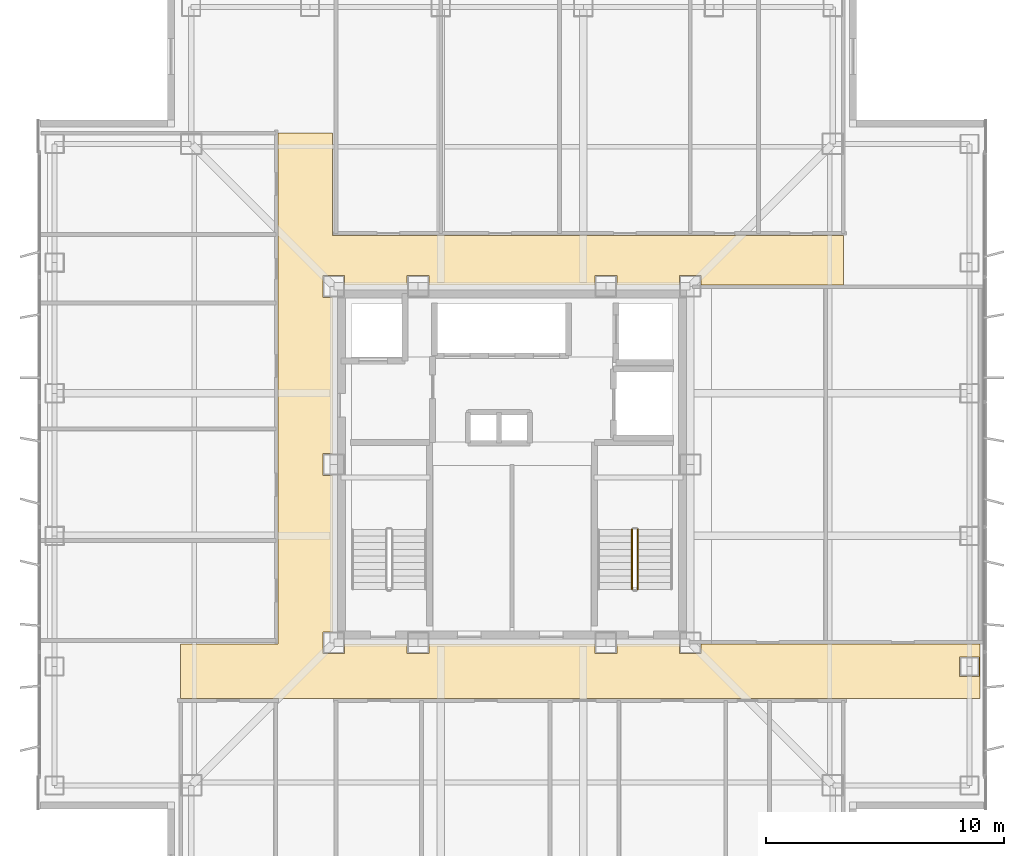
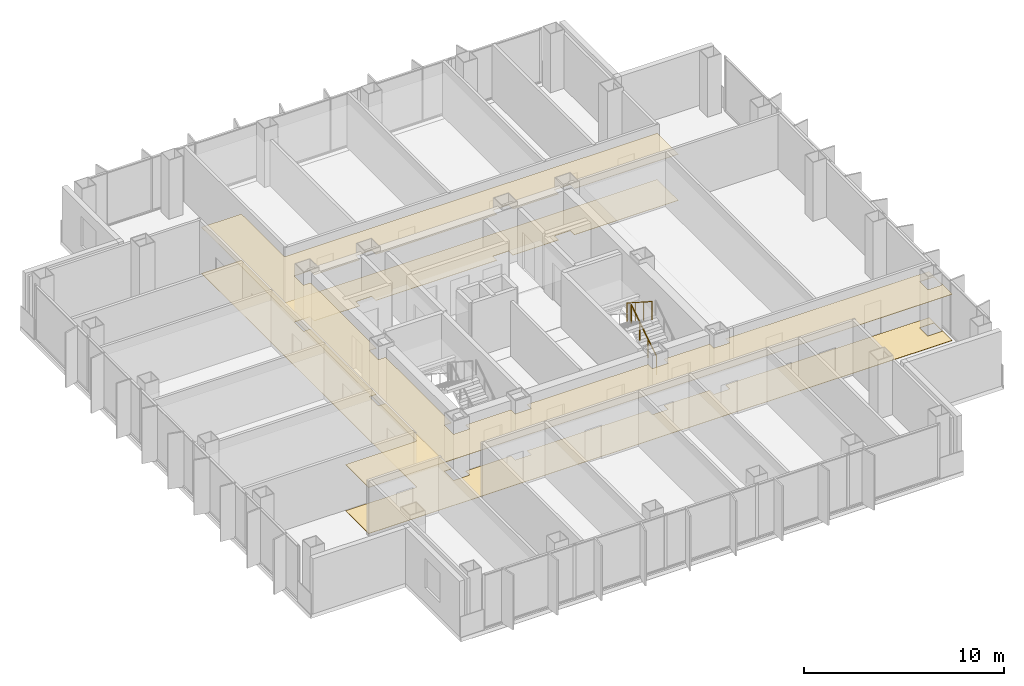
# One storey, part 16 of 18: 2 coverings, 2 railings.
"""IFC4 building model written with IfcOpenShell, lengths in metres."""

from ifc_helpers import new_model, si_unit, direction, frame, origin, origin_2d, place, context, subcontext, project, spatial, polyline, circle, outline, extrude, material, layer, layer_set, type_object, element, save


model = new_model("IFC4")

# Units and contexts
model_context = context("Model", 3, precision=1e-05, world=origin(), true_north=direction((0.0, 1.0)))
body_context = subcontext(model_context, "Body", "Model", "MODEL_VIEW")
ifc_project = project(units=[si_unit("LENGTHUNIT", "METRE"), si_unit("AREAUNIT", "SQUARE_METRE"), si_unit("VOLUMEUNIT", "CUBIC_METRE"), si_unit("PLANEANGLEUNIT", "RADIAN"), si_unit("MASSUNIT", "GRAM", prefix="KILO")], contexts=[model_context])

# Site, building, storey
site_placement = place(None, origin())
site = spatial("IfcSite", under=ifc_project, at=site_placement, CompositionType="ELEMENT")
building_placement = place(site_placement, origin())
building = spatial("IfcBuilding", under=site, at=building_placement, Name="Trevonay Congress Spire", CompositionType="ELEMENT")
storey_placement = place(building_placement, frame((0.0, 0.0, 173.39990234375)))
storey = spatial("IfcBuildingStorey", under=building, at=storey_placement, Name="L44", CompositionType="ELEMENT", Elevation=173.39990234375)

# Coverings
ifc_material_1 = material(Name="Acoustic Mineral Fibre Board", Category="gypsum")
ifc_layer_1 = layer(ifc_material_1, 0.02490234375, Name="Acoustic Mineral Fibre Board")
ifc_layer_set_1 = layer_set([ifc_layer_1], Name="Acoustic Mineral Fibre Board")
covering_type_1 = type_object("IfcCoveringType", Name="COV-CEIL-ACOUSTIC", PredefinedType="CEILING", material=ifc_layer_set_1)
covering_1_placement = place(storey_placement, frame((0.0, 0.0, 2.81005859375)))
element("IfcCovering", 1, at=covering_1_placement, inside=storey, type_object=covering_type_1, Name="L44 Cruciform Boulevard Corridor acoustic suspended ceiling", PredefinedType="CEILING", context=body_context, shape_type="SweptSolid", body=[
    extrude(outline(polyline([(19.699951171875, -7.550048828125), (19.699951171875, -9.85009765625), (-13.949951171875, -9.85009765625), (-13.949951171875, -7.550048828125), (-9.85009765625, -7.550048828125), (-9.85009765625, 13.949951171875), (-7.550048828125, 13.949951171875), (-7.550048828125, 9.64990234375), (13.949951171875, 9.64990234375), (13.949951171875, 7.550048828125), (7.9599609375, 7.550048828125), (7.9599609375, 7.9599609375), (7.0400390625, 7.9599609375), (7.0400390625, 7.550048828125), (4.409912109375, 7.550048828125), (4.409912109375, 7.9599609375), (3.489990234375, 7.9599609375), (3.489990234375, 7.550048828125), (-3.489990234375, 7.550048828125), (-3.489990234375, 7.9599609375), (-4.409912109375, 7.9599609375), (-4.409912109375, 7.550048828125), (-7.0400390625, 7.550048828125), (-7.0400390625, 7.9599609375), (-7.9599609375, 7.9599609375), (-7.9599609375, 7.0400390625), (-7.550048828125, 7.0400390625), (-7.550048828125, 0.4599609375), (-7.9599609375, 0.4599609375), (-7.9599609375, -0.4599609375), (-7.550048828125, -0.4599609375), (-7.550048828125, -7.0400390625), (-7.9599609375, -7.0400390625), (-7.9599609375, -7.9599609375), (-7.0400390625, -7.9599609375), (-7.0400390625, -7.550048828125), (-4.409912109375, -7.550048828125), (-4.409912109375, -7.9599609375), (-3.489990234375, -7.9599609375), (-3.489990234375, -7.550048828125), (3.489990234375, -7.550048828125), (3.489990234375, -7.9599609375), (4.409912109375, -7.9599609375), (4.409912109375, -7.550048828125), (7.0400390625, -7.550048828125), (7.0400390625, -7.9599609375), (7.9599609375, -7.9599609375), (7.9599609375, -7.550048828125), (19.699951171875, -7.550048828125)]), holes=[polyline([(19.659912109375, -8.090087890625), (18.840087890625, -8.090087890625), (18.840087890625, -8.909912109375), (19.659912109375, -8.909912109375), (19.659912109375, -8.090087890625)])]), origin(), (0.0, 0.0, 1.0), 0.025146484375),
])
ifc_material_2 = material(Name="Polished Granite Floor Tile", Category="masonry")
ifc_layer_2 = layer(ifc_material_2, 0.02001953125, Name="Polished Granite Floor Tile")
ifc_layer_set_2 = layer_set([ifc_layer_2], Name="Polished Granite Floor Tile")
covering_type_2 = type_object("IfcCoveringType", Name="COV-FLOOR-STONE", PredefinedType="FLOORING", material=ifc_layer_set_2)
covering_2_placement = place(storey_placement, origin())
element("IfcCovering", 2, at=covering_2_placement, inside=storey, type_object=covering_type_2, Name="L44 Cruciform Boulevard Corridor floor finish", PredefinedType="FLOORING", context=body_context, shape_type="SweptSolid", body=[
    extrude(outline(polyline([(19.699951171875, -7.550048828125), (19.699951171875, -9.85009765625), (-13.949951171875, -9.85009765625), (-13.949951171875, -7.550048828125), (-9.85009765625, -7.550048828125), (-9.85009765625, 13.949951171875), (-7.550048828125, 13.949951171875), (-7.550048828125, 9.64990234375), (13.949951171875, 9.64990234375), (13.949951171875, 7.550048828125), (7.9599609375, 7.550048828125), (7.9599609375, 7.9599609375), (7.0400390625, 7.9599609375), (7.0400390625, 7.550048828125), (4.409912109375, 7.550048828125), (4.409912109375, 7.9599609375), (3.489990234375, 7.9599609375), (3.489990234375, 7.550048828125), (-3.489990234375, 7.550048828125), (-3.489990234375, 7.9599609375), (-4.409912109375, 7.9599609375), (-4.409912109375, 7.550048828125), (-7.0400390625, 7.550048828125), (-7.0400390625, 7.9599609375), (-7.9599609375, 7.9599609375), (-7.9599609375, 7.0400390625), (-7.550048828125, 7.0400390625), (-7.550048828125, 0.4599609375), (-7.9599609375, 0.4599609375), (-7.9599609375, -0.4599609375), (-7.550048828125, -0.4599609375), (-7.550048828125, -7.0400390625), (-7.9599609375, -7.0400390625), (-7.9599609375, -7.9599609375), (-7.0400390625, -7.9599609375), (-7.0400390625, -7.550048828125), (-4.409912109375, -7.550048828125), (-4.409912109375, -7.9599609375), (-3.489990234375, -7.9599609375), (-3.489990234375, -7.550048828125), (3.489990234375, -7.550048828125), (3.489990234375, -7.9599609375), (4.409912109375, -7.9599609375), (4.409912109375, -7.550048828125), (7.0400390625, -7.550048828125), (7.0400390625, -7.9599609375), (7.9599609375, -7.9599609375), (7.9599609375, -7.550048828125), (19.699951171875, -7.550048828125)]), holes=[polyline([(19.659912109375, -8.090087890625), (18.840087890625, -8.090087890625), (18.840087890625, -8.909912109375), (19.659912109375, -8.909912109375), (19.659912109375, -8.090087890625)])]), origin(), (0.0, 0.0, 1.0), 0.02001953125),
])

# Railings
ifc_material_3 = material(Name="Pale Anodised Aluminium EN AW-6063-T6", Category="aluminium")
railing_type = type_object("IfcRailingType", Name="RAL-STAIR-GUARD-110", PredefinedType="GUARDRAIL", material=ifc_material_3)
railing_1_placement = place(storey_placement, frame((5.300048828125, -5.25, 0.18017578125)))
element("IfcRailing", 3, at=railing_1_placement, inside=storey, type_object=railing_type, Name="L44 ST-2 stair guard 1", PredefinedType="GUARDRAIL", context=body_context, shape_type="SweptSolid", body=[
    extrude(circle(Radius=0.02392578125, at=origin_2d()), frame((0.0, 0.0, 1.1259765625), z_axis=(0.0, 0.841199657755, 0.540724639528), x_axis=(-1.0, 0.0, 0.0)), (0.0, 0.0, 1.0), 2.995849609375),
    extrude(circle(Radius=0.02099609375, at=origin_2d()), origin(), (0.0, 0.0, 1.0), 1.101806640625),
    extrude(circle(Radius=0.02099609375, at=origin_2d()), frame((0.0, 0.840087890625, 0.5400390625)), (0.0, 0.0, 1.0), 1.101806640625),
    extrude(circle(Radius=0.02099609375, at=origin_2d()), frame((0.0, 1.679931640625, 1.079833984375)), (0.0, 0.0, 1.0), 1.101806640625),
    extrude(circle(Radius=0.02099609375, at=origin_2d()), frame((0.0, 2.52001953125, 1.619873046875)), (0.0, 0.0, 1.0), 1.101806640625),
])
railing_2_placement = place(storey_placement, frame((5.050048828125, -2.72998046875, 1.97998046875)))
element("IfcRailing", 4, at=railing_2_placement, inside=storey, type_object=railing_type, Name="L44 ST-2 stair guard 3", PredefinedType="GUARDRAIL", context=body_context, shape_type="SweptSolid", body=[
    extrude(circle(Radius=0.02392578125, at=origin_2d()), frame((0.0, 0.0, 1.1259765625), z_axis=(0.0, -0.841162588446, 0.540782303519), x_axis=(1.0, 0.0, 0.0)), (0.0, 0.0, 1.0), 2.995849609375),
    extrude(circle(Radius=0.02099609375, at=origin_2d()), origin(), (0.0, 0.0, 1.0), 1.101806640625),
    extrude(circle(Radius=0.02099609375, at=origin_2d()), frame((0.0, -0.840087890625, 0.5400390625)), (0.0, 0.0, 1.0), 1.101806640625),
    extrude(circle(Radius=0.02099609375, at=origin_2d()), frame((0.0, -1.679931640625, 1.080078125)), (0.0, 0.0, 1.0), 1.101806640625),
    extrude(circle(Radius=0.02099609375, at=origin_2d()), frame((0.0, -2.52001953125, 1.6201171875)), (0.0, 0.0, 1.0), 1.101806640625),
])

save(model, "model.ifc")
